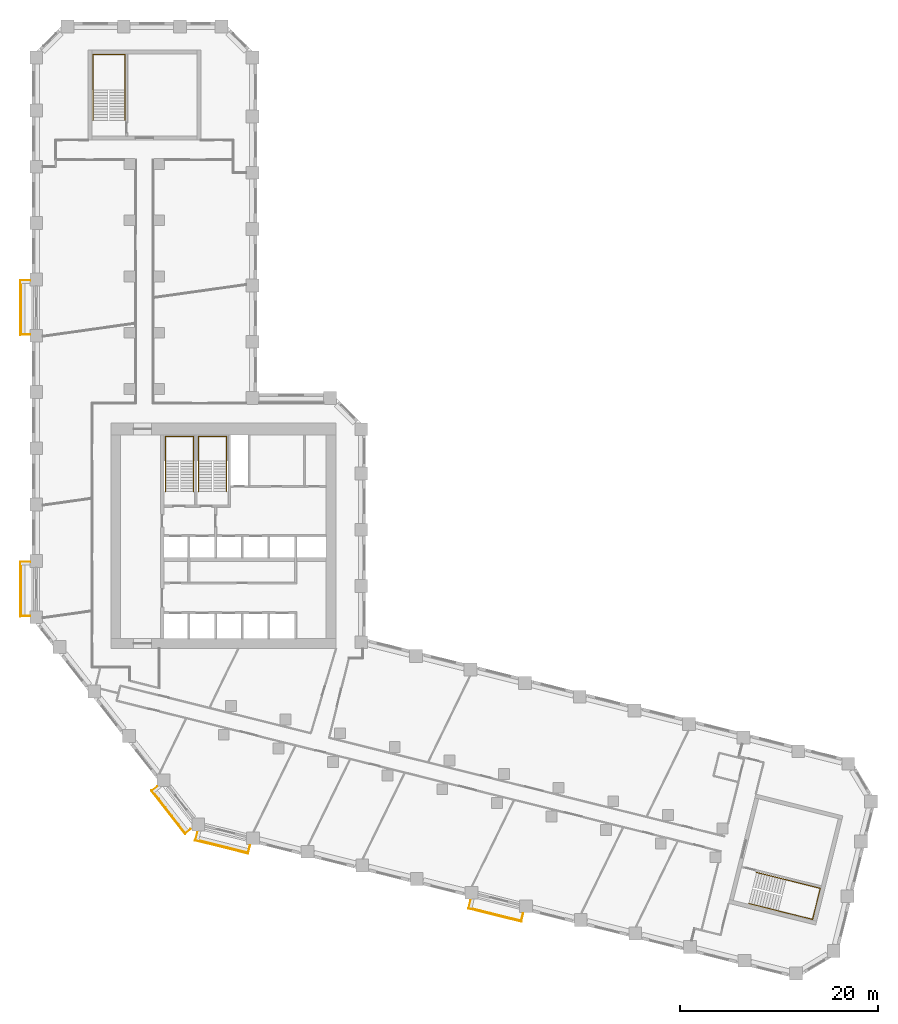
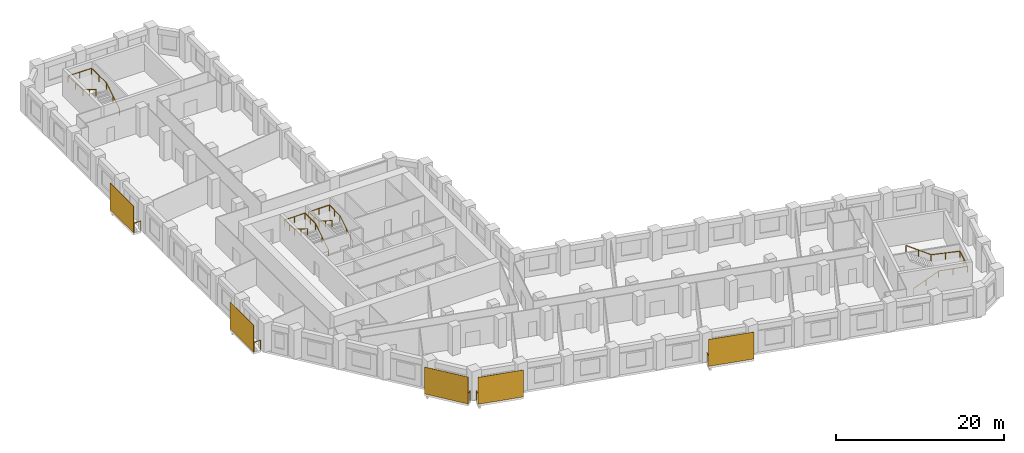
# One storey, part 11 of 11: 9 railings, 5 shading devices.
"""IFC4 building model written with IfcOpenShell, lengths in metres."""

import ifcopenshell
import ifcopenshell.guid

model = None  # the IFC model being written
_history = None  # IfcOwnerHistory: only IFC2X3 demands one
_inside = {}  # id of a spatial element -> (the spatial element, [elements in it])
_under = {}  # id of a project, library or spatial element -> (it, [spatial elements below it])
_declared = {}  # id of a project -> (the project, [libraries it declares])
_typed = {}  # id of a type object -> (the type object, [elements of that type])
_made_of = {}  # id of a material, layer set ... -> (it, [elements and type objects made of it])


def new_model(schema):
    """Start an empty IFC model of exactly this schema.

    Asked for "IFC4X3", IfcOpenShell would pick the latest addendum, in which some entities
    have other attributes; the version numbers below select the first issue.
    IFC2X3 requires an IfcOwnerHistory on every rooted entity: one is made here for all.
    """
    global model, _history
    if schema == "IFC4X3":
        model = ifcopenshell.file(schema_version=(4, 3, 0, 0))
    else:
        model = ifcopenshell.file(schema=schema)
    _inside.clear()
    _under.clear()
    _declared.clear()
    _typed.clear()
    _made_of.clear()
    _history = None
    if model.schema == "IFC2X3":
        org = make("IfcOrganization", Name="unknown")
        user = make(
            "IfcPersonAndOrganization",
            ThePerson=make("IfcPerson", FamilyName="unknown"),
            TheOrganization=org,
        )
        app = make(
            "IfcApplication",
            ApplicationDeveloper=org,
            Version="unknown",
            ApplicationFullName="unknown",
            ApplicationIdentifier="unknown",
        )
        _history = make(
            "IfcOwnerHistory",
            OwningUser=user,
            OwningApplication=app,
            ChangeAction="ADDED",
            CreationDate=0,
        )
    return model


def make(cls, **values):
    """One entity of the class cls with the attributes given. An attribute that is None is left unset."""
    return model.create_entity(
        cls, **{name: value for name, value in values.items() if value is not None}
    )


def rooted(cls, **values):
    """An entity with a GlobalId (a new one), such as an element, a storey or a relation."""
    return make(cls, GlobalId=ifcopenshell.guid.new(), OwnerHistory=_history, **values)


def si_unit(unit_type, name, prefix=None):
    """IfcSIUnit, for example si_unit("LENGTHUNIT", "METRE", prefix="MILLI")."""
    return make("IfcSIUnit", UnitType=unit_type, Prefix=prefix, Name=name)


def assignment(units):
    """IfcUnitAssignment: the units of a project."""
    return None if units is None else make("IfcUnitAssignment", Units=units)


def point(xyz):
    """IfcCartesianPoint."""
    return None if xyz is None else make("IfcCartesianPoint", Coordinates=xyz)


def direction(xyz):
    """IfcDirection."""
    return None if xyz is None else make("IfcDirection", DirectionRatios=xyz)


def frame(location, z_axis=None, x_axis=None):
    """IfcAxis2Placement3D, a coordinate frame: its origin and axes. An axis left out is left unset."""
    return make(
        "IfcAxis2Placement3D",
        Location=point(location),
        Axis=direction(z_axis),
        RefDirection=direction(x_axis),
    )


def frame_2d(location, x_axis=None):
    """IfcAxis2Placement2D, a coordinate frame in the plane: its origin and x axis."""
    return make(
        "IfcAxis2Placement2D", Location=point(location), RefDirection=direction(x_axis)
    )


def origin():
    """The frame at (0, 0, 0) with its axes left unset."""
    return frame((0.0, 0.0, 0.0))


def origin_2d():
    """The frame at (0, 0) in the plane with its x axis left unset."""
    return frame_2d((0.0, 0.0))


def place(relative_to, where):
    """IfcLocalPlacement: puts the frame where relative to a parent placement (None: the world)."""
    return make(
        "IfcLocalPlacement", PlacementRelTo=relative_to, RelativePlacement=where
    )


def context(
    kind, dimensions, precision=None, world=None, true_north=None, identifier=None
):
    """IfcGeometricRepresentationContext, for example the 3D "Model" context."""
    return make(
        "IfcGeometricRepresentationContext",
        ContextIdentifier=identifier,
        ContextType=kind,
        CoordinateSpaceDimension=dimensions,
        Precision=precision,
        WorldCoordinateSystem=world,
        TrueNorth=true_north,
    )


def subcontext(parent, identifier, kind, view, scale=None):
    """IfcGeometricRepresentationSubContext, for example "Body" below "Model"."""
    return make(
        "IfcGeometricRepresentationSubContext",
        ContextIdentifier=identifier,
        ContextType=kind,
        ParentContext=parent,
        TargetScale=scale,
        TargetView=view,
    )


def project(units=None, contexts=None):
    """IfcProject with its units and contexts."""
    return rooted(
        "IfcProject",
        Name="project",
        RepresentationContexts=contexts,
        UnitsInContext=assignment(units),
    )


def spatial(cls, under=None, at=None, **own):
    """A site, building, storey or space (cls), placed at a placement, below another one or the project."""
    s = rooted(cls, ObjectPlacement=at, **own)
    if under is not None:
        _under.setdefault(under.id(), (under, []))[1].append(s)
    return s


def profile(cls, at=None, kind="AREA", **sizes):
    """A parametric profile (cls). Its sizes go by their IFC names, for example OverallWidth=200.0."""
    return make(cls, ProfileType=kind, Position=at, **sizes)


def rectangle(**sizes):
    """IfcRectangleProfileDef."""
    return profile("IfcRectangleProfileDef", **sizes)


def circle(**sizes):
    """IfcCircleProfileDef."""
    return profile("IfcCircleProfileDef", **sizes)


def extrude(swept, where, along, depth):
    """IfcExtrudedAreaSolid: the profile swept, set in the frame where, extruded along a direction by depth."""
    return make(
        "IfcExtrudedAreaSolid",
        SweptArea=swept,
        Position=where,
        ExtrudedDirection=direction(along),
        Depth=depth,
    )


def shape(context_of_items, identifier, shape_type, items):
    """IfcShapeRepresentation: the items that make up one representation, for example the "Body"."""
    return make(
        "IfcShapeRepresentation",
        ContextOfItems=context_of_items,
        RepresentationIdentifier=identifier,
        RepresentationType=shape_type,
        Items=items,
    )


def material(Name=None, Category=None):
    """IfcMaterial."""
    return make("IfcMaterial", Name=Name, Category=Category)


def layer(
    of_material, thickness, ventilated=None, Name=None, Category=None, Priority=None
):
    """IfcMaterialLayer: one layer of a wall or slab, of a material (None: an air gap)."""
    return make(
        "IfcMaterialLayer",
        Material=of_material,
        LayerThickness=thickness,
        IsVentilated=ventilated,
        Name=Name,
        Category=Category,
        Priority=Priority,
    )


def layer_set(layers, Name=None):
    """IfcMaterialLayerSet."""
    return make("IfcMaterialLayerSet", MaterialLayers=layers, LayerSetName=Name)


def made_of(thing, what):
    """Note that an element or type object is made of a material, layer set ...; save() writes the relation."""
    if what is not None:
        _made_of.setdefault(what.id(), (what, []))[1].append(thing)
    return thing


def type_object(cls, material=None, **own):
    """A type object (cls), such as IfcWallType, which elements share."""
    return made_of(rooted(cls, **own), material)


def element(
    cls,
    number,
    at=None,
    inside=None,
    cuts=None,
    type_object=None,
    material=None,
    context=None,
    identifier="Body",
    shape_type=None,
    held_by="IfcProductDefinitionShape",
    body=None,
    shapes=None,
    **own,
):
    """One element of the class cls, such as IfcWall. Its Tag is "e" and its number.

    at: its placement. inside: the storey or other place that contains it. cuts: it is an
    opening in that element (IfcRelVoidsElement). A single representation is given by context,
    identifier, shape_type and body (its items); several are given by shapes. held_by: the class
    of the entity that holds the representations. save() writes the other relations.
    """
    e = rooted(cls, Tag="e%d" % number, ObjectPlacement=at, **own)
    if body is not None:
        shapes = [shape(context, identifier, shape_type, body)]
    if shapes is not None:
        e.Representation = make(held_by, Representations=shapes)
    if inside is not None:
        _inside.setdefault(inside.id(), (inside, []))[1].append(e)
    if cuts is not None:
        rooted(
            "IfcRelVoidsElement", RelatingBuildingElement=cuts, RelatedOpeningElement=e
        )
    if type_object is not None:
        _typed.setdefault(type_object.id(), (type_object, []))[1].append(e)
    return made_of(e, material)


def aggregate(whole, parts):
    """IfcRelAggregates: a whole, such as a stair, and the parts it consists of."""
    return rooted("IfcRelAggregates", RelatingObject=whole, RelatedObjects=parts)


def save(model, path):
    """Write the relations noted so far, then the file.

    IfcRelAggregates (storeys below a building ...), IfcRelContainedInSpatialStructure (elements
    in a storey), IfcRelDefinesByType, IfcRelAssociatesMaterial and IfcRelDeclares: one each for
    every whole, place, type object, material and project.
    """
    for whole, parts in _under.values():
        aggregate(whole, parts)
    for where, things in _inside.values():
        rooted(
            "IfcRelContainedInSpatialStructure",
            RelatedElements=things,
            RelatingStructure=where,
        )
    for kind, things in _typed.values():
        rooted("IfcRelDefinesByType", RelatedObjects=things, RelatingType=kind)
    for what, things in _made_of.values():
        rooted("IfcRelAssociatesMaterial", RelatedObjects=things, RelatingMaterial=what)
    for by, libraries in _declared.values():
        rooted("IfcRelDeclares", RelatingContext=by, RelatedDefinitions=libraries)
    model.write(path)


model = new_model("IFC4")

# Units and contexts
model_context = context("Model", 3, precision=1e-05, world=origin(), true_north=direction((0.0, 1.0)))
body_context = subcontext(model_context, "Body", "Model", "MODEL_VIEW")
ifc_project = project(units=[si_unit("LENGTHUNIT", "METRE"), si_unit("AREAUNIT", "SQUARE_METRE"), si_unit("VOLUMEUNIT", "CUBIC_METRE"), si_unit("PLANEANGLEUNIT", "RADIAN"), si_unit("MASSUNIT", "GRAM", prefix="KILO")], contexts=[model_context])

# Site, building, storey
site_placement = place(None, origin())
site = spatial("IfcSite", under=ifc_project, at=site_placement, CompositionType="ELEMENT")
building_placement = place(site_placement, origin())
building = spatial("IfcBuilding", under=site, at=building_placement, Name="Meshkara Civic Tower", CompositionType="ELEMENT")
storey_placement = place(building_placement, frame((0.0, 0.0, 101.39990234375)))
storey = spatial("IfcBuildingStorey", under=building, at=storey_placement, Name="L22", CompositionType="ELEMENT", Elevation=101.39990234375)

# Railings
ifc_material_1 = material(Name="Steel S355", Category="steel")
railing_type_1 = type_object("IfcRailingType", Name="BALUSTRADE GUARD 1400", PredefinedType="BALUSTRADE", material=ifc_material_1)
for number, where, name in (
    (1, (-0.199951171875, 51.3349609375, 0.0), "Balcony guard"),
    (2, (-0.199951171875, 22.8349609375, 0.0), "Balcony guard"),
):
    element("IfcRailing", number, at=place(storey_placement, frame(where)), inside=storey, type_object=railing_type_1, Name=name, PredefinedType="BALUSTRADE", context=body_context, shape_type="SweptSolid", body=[
        extrude(circle(Radius=0.02392578125, at=origin_2d()), frame((0.0, 0.0, 1.3759765625), z_axis=(-1.0, 0.0, 0.0), x_axis=(0.0, -1.0, 0.0)), (0.0, 0.0, 1.0), 0.91015625),
        extrude(circle(Radius=0.02392578125, at=origin_2d()), frame((-0.91015625, 0.0, 1.3759765625), z_axis=(0.0, -1.0, 0.0), x_axis=(1.0, 0.0, 0.0)), (0.0, 0.0, 1.0), 5.4599609375),
        extrude(circle(Radius=0.02392578125, at=origin_2d()), frame((-0.91015625, -5.4599609375, 1.3759765625), z_axis=(1.0, 0.0, 0.0), x_axis=(0.0, 1.0, 0.0)), (0.0, 0.0, 1.0), 0.91015625),
        extrude(circle(Radius=0.02099609375, at=origin_2d()), origin(), (0.0, 0.0, 1.0), 1.351806640625),
        extrude(circle(Radius=0.02099609375, at=origin_2d()), frame((-0.91015625, 0.0, 0.0)), (0.0, 0.0, 1.0), 1.351806640625),
        extrude(circle(Radius=0.02099609375, at=origin_2d()), frame((-0.91015625, -1.092041015625, 0.0)), (0.0, 0.0, 1.0), 1.351806640625),
        extrude(circle(Radius=0.02099609375, at=origin_2d()), frame((-0.91015625, -2.18408203125, 0.0)), (0.0, 0.0, 1.0), 1.351806640625),
        extrude(circle(Radius=0.02099609375, at=origin_2d()), frame((-0.91015625, -3.27587890625, 0.0)), (0.0, 0.0, 1.0), 1.351806640625),
        extrude(circle(Radius=0.02099609375, at=origin_2d()), frame((-0.91015625, -4.367919921875, 0.0)), (0.0, 0.0, 1.0), 1.351806640625),
        extrude(circle(Radius=0.02099609375, at=origin_2d()), frame((-0.91015625, -5.4599609375, 0.0)), (0.0, 0.0, 1.0), 1.351806640625),
        extrude(circle(Radius=0.02099609375, at=origin_2d()), frame((0.0, -5.4599609375, 0.0)), (0.0, 0.0, 1.0), 1.351806640625),
    ])
railing_1_placement = place(storey_placement, frame((12.697021484375, 0.097900390625, 0.0)))
element("IfcRailing", 3, at=railing_1_placement, inside=storey, type_object=railing_type_1, Name="Balcony guard", PredefinedType="BALUSTRADE", context=body_context, shape_type="SweptSolid", body=[
    extrude(circle(Radius=0.02392578125, at=origin_2d()), frame((0.0, 0.0, 1.3759765625), z_axis=(-0.788235582762, -0.615373598774, 0.0), x_axis=(0.615373598774, -0.788235582762, 0.0)), (0.0, 0.0, 1.0), 0.648193359375),
    extrude(circle(Radius=0.02392578125, at=origin_2d()), frame((-0.510986328125, -0.39892578125, 1.3759765625), z_axis=(0.615684818606, -0.787992515281, 0.0), x_axis=(0.787992515281, 0.615684818606, 0.0)), (0.0, 0.0, 1.0), 5.460693359375),
    extrude(circle(Radius=0.02392578125, at=origin_2d()), frame((2.85107421875, -4.701904296875, 1.3759765625), z_axis=(0.787664106231, 0.616104906453, 0.0), x_axis=(-0.616104906453, 0.787664106231, 0.0)), (0.0, 0.0, 1.0), 0.6474609375),
    extrude(circle(Radius=0.02099609375, at=origin_2d()), origin(), (0.0, 0.0, 1.0), 1.351806640625),
    extrude(circle(Radius=0.02099609375, at=origin_2d()), frame((-0.510986328125, -0.39892578125, 0.0)), (0.0, 0.0, 1.0), 1.351806640625),
    extrude(circle(Radius=0.02099609375, at=origin_2d()), frame((0.161376953125, -1.259521484375, 0.0)), (0.0, 0.0, 1.0), 1.351806640625),
    extrude(circle(Radius=0.02099609375, at=origin_2d()), frame((0.833740234375, -2.1201171875, 0.0)), (0.0, 0.0, 1.0), 1.351806640625),
    extrude(circle(Radius=0.02099609375, at=origin_2d()), frame((1.50634765625, -2.980712890625, 0.0)), (0.0, 0.0, 1.0), 1.351806640625),
    extrude(circle(Radius=0.02099609375, at=origin_2d()), frame((2.1787109375, -3.84130859375, 0.0)), (0.0, 0.0, 1.0), 1.351806640625),
    extrude(circle(Radius=0.02099609375, at=origin_2d()), frame((2.85107421875, -4.701904296875, 0.0)), (0.0, 0.0, 1.0), 1.351806640625),
    extrude(circle(Radius=0.02099609375, at=origin_2d()), frame((3.361083984375, -4.302978515625, 0.0)), (0.0, 0.0, 1.0), 1.351806640625),
])
railing_2_placement = place(storey_placement, frame((16.777099609375, -4.531005859375, 0.0)))
element("IfcRailing", 4, at=railing_2_placement, inside=storey, type_object=railing_type_1, Name="Balcony guard", PredefinedType="BALUSTRADE", context=body_context, shape_type="SweptSolid", body=[
    extrude(circle(Radius=0.02392578125, at=origin_2d()), frame((0.0, 0.0, 1.3759765625), z_axis=(-0.241941038466, -0.970290953223, 0.0), x_axis=(0.970290953223, -0.241941038466, 0.0)), (0.0, 0.0, 1.0), 0.77294921875),
    extrude(circle(Radius=0.02392578125, at=origin_2d()), frame((-0.18701171875, -0.75, 1.3759765625), z_axis=(0.9703315887, -0.241778013829, 0.0), x_axis=(0.241778013829, 0.9703315887, 0.0)), (0.0, 0.0, 1.0), 5.459716796875),
    extrude(circle(Radius=0.02392578125, at=origin_2d()), frame((5.11083984375, -2.070068359375, 1.3759765625), z_axis=(0.242237978263, 0.970216863329, 0.0), x_axis=(-0.970216863329, 0.242237978263, 0.0)), (0.0, 0.0, 1.0), 0.77197265625),
    extrude(circle(Radius=0.02099609375, at=origin_2d()), origin(), (0.0, 0.0, 1.0), 1.351806640625),
    extrude(circle(Radius=0.02099609375, at=origin_2d()), frame((-0.18701171875, -0.75, 0.0)), (0.0, 0.0, 1.0), 1.351806640625),
    extrude(circle(Radius=0.02099609375, at=origin_2d()), frame((0.87255859375, -1.013916015625, 0.0)), (0.0, 0.0, 1.0), 1.351806640625),
    extrude(circle(Radius=0.02099609375, at=origin_2d()), frame((1.93212890625, -1.278076171875, 0.0)), (0.0, 0.0, 1.0), 1.351806640625),
    extrude(circle(Radius=0.02099609375, at=origin_2d()), frame((2.99169921875, -1.5419921875, 0.0)), (0.0, 0.0, 1.0), 1.351806640625),
    extrude(circle(Radius=0.02099609375, at=origin_2d()), frame((4.05126953125, -1.80615234375, 0.0)), (0.0, 0.0, 1.0), 1.351806640625),
    extrude(circle(Radius=0.02099609375, at=origin_2d()), frame((5.11083984375, -2.070068359375, 0.0)), (0.0, 0.0, 1.0), 1.351806640625),
    extrude(circle(Radius=0.02099609375, at=origin_2d()), frame((5.2978515625, -1.321044921875, 0.0)), (0.0, 0.0, 1.0), 1.351806640625),
])
railing_3_placement = place(storey_placement, frame((44.430908203125, -11.426025390625, 0.0)))
element("IfcRailing", 5, at=railing_3_placement, inside=storey, type_object=railing_type_1, Name="Balcony guard", PredefinedType="BALUSTRADE", context=body_context, shape_type="SweptSolid", body=[
    extrude(circle(Radius=0.02392578125, at=origin_2d()), frame((0.0, 0.0, 1.3759765625), z_axis=(-0.242237978263, -0.970216863329, 0.0), x_axis=(0.970216863329, -0.242237978263, 0.0)), (0.0, 0.0, 1.0), 0.77197265625),
    extrude(circle(Radius=0.02392578125, at=origin_2d()), frame((-0.18701171875, -0.7490234375, 1.3759765625), z_axis=(0.970281759871, -0.241977904902, 0.0), x_axis=(0.241977904902, 0.970281759871, 0.0)), (0.0, 0.0, 1.0), 5.45947265625),
    extrude(circle(Radius=0.02392578125, at=origin_2d()), frame((5.110107421875, -2.070068359375, 1.3759765625), z_axis=(0.242237978263, 0.970216863329, 0.0), x_axis=(-0.970216863329, 0.242237978263, 0.0)), (0.0, 0.0, 1.0), 0.77197265625),
    extrude(circle(Radius=0.02099609375, at=origin_2d()), origin(), (0.0, 0.0, 1.0), 1.351806640625),
    extrude(circle(Radius=0.02099609375, at=origin_2d()), frame((-0.18701171875, -0.7490234375, 0.0)), (0.0, 0.0, 1.0), 1.351806640625),
    extrude(circle(Radius=0.02099609375, at=origin_2d()), frame((0.872314453125, -1.01318359375, 0.0)), (0.0, 0.0, 1.0), 1.351806640625),
    extrude(circle(Radius=0.02099609375, at=origin_2d()), frame((1.931884765625, -1.27734375, 0.0)), (0.0, 0.0, 1.0), 1.351806640625),
    extrude(circle(Radius=0.02099609375, at=origin_2d()), frame((2.9912109375, -1.541748046875, 0.0)), (0.0, 0.0, 1.0), 1.351806640625),
    extrude(circle(Radius=0.02099609375, at=origin_2d()), frame((4.05078125, -1.805908203125, 0.0)), (0.0, 0.0, 1.0), 1.351806640625),
    extrude(circle(Radius=0.02099609375, at=origin_2d()), frame((5.110107421875, -2.070068359375, 0.0)), (0.0, 0.0, 1.0), 1.351806640625),
    extrude(circle(Radius=0.02099609375, at=origin_2d()), frame((5.297119140625, -1.321044921875, 0.0)), (0.0, 0.0, 1.0), 1.351806640625),
])

# Shading devices
ifc_material_2 = material(Name="Perforated bronze anodised aluminium sheet", Category="aluminium")
ifc_layer = layer(ifc_material_2, 0.0400390625)
ifc_layer_set = layer_set([ifc_layer], Name="PERFORATED BRONZE SCREEN")
shading_device_type = type_object("IfcShadingDeviceType", Name="PERFORATED BRONZE SCREEN", PredefinedType="USERDEFINED", material=ifc_layer_set)
for number, where, z_axis, x_axis, name in (
    (6, (-1.179931640625, 48.60498046875, 0.000244140625), (0.0, 0.0, 1.0), (0.0, -1.0, 0.0), "Balcony screen"),
    (7, (-1.179931640625, 20.10498046875, 0.000244140625), (0.0, 0.0, 1.0), (0.0, -1.0, 0.0), "Balcony screen"),
    (8, (13.81201171875, -2.4951171875, 0.000244140625), (0.0, 0.0, 1.0), (0.615661475326, -0.788010753607, 0.0), "Balcony screen"),
    (9, (19.221923828125, -6.009033203125, 0.000244140625), (0.0, 0.0, 1.0), (0.970299948462, -0.241904960708, 0.0), "Balcony screen"),
):
    element("IfcShadingDevice", number, at=place(storey_placement, frame(where, z_axis=z_axis, x_axis=x_axis)), inside=storey, type_object=shading_device_type, Name=name, ObjectType="SCREEN", PredefinedType="USERDEFINED", context=body_context, shape_type="SweptSolid", body=[
        extrude(rectangle(XDim=5.580078125, YDim=0.0400390625, at=origin_2d()), origin(), (0.0, 0.0, 1.0), 3.89990234375),
    ])
shading_device_placement = place(storey_placement, frame((46.8759765625, -12.903076171875, 0.000244140625), z_axis=(0.0, 0.0, 1.0), x_axis=(0.970299948462, -0.241904960708, 0.0)))
element("IfcShadingDevice", 10, at=shading_device_placement, inside=storey, type_object=shading_device_type, Name="Balcony screen", ObjectType="SCREEN", PredefinedType="USERDEFINED", context=body_context, shape_type="SweptSolid", body=[
    extrude(rectangle(XDim=5.5791015625, YDim=0.0400390625, at=origin_2d()), origin(), (0.0, 0.0, 1.0), 3.89990234375),
])

# Railings
ifc_material_3 = material(Name="Steel handrail", Category="steel")
railing_type_2 = type_object("IfcRailingType", Name="Stair handrail 900", PredefinedType="HANDRAIL", material=ifc_material_3)
railing_4_placement = place(storey_placement, frame((16.375, 30.0, 0.175048828125)))
element("IfcRailing", 11, at=railing_4_placement, inside=storey, type_object=railing_type_2, Name="L22 ST1 stair handrail 1", PredefinedType="HANDRAIL", context=body_context, shape_type="SweptSolid", body=[
    extrude(circle(Radius=0.02392578125, at=origin_2d()), frame((0.0, 0.0, 0.8759765625), z_axis=(0.0, 0.847998304005, 0.529998940003), x_axis=(-1.0, 0.0, 0.0)), (0.0, 0.0, 1.0), 3.632080078125),
    extrude(circle(Radius=0.02392578125, at=origin_2d()), frame((0.0, 3.080078125, 2.80078125), z_axis=(0.0, 1.0, 0.0), x_axis=(-1.0, 0.0, 0.0)), (0.0, 0.0, 1.0), 2.469970703125),
    extrude(circle(Radius=0.02392578125, at=origin_2d()), frame((0.0, 5.550048828125, 2.80078125), z_axis=(-1.0, 0.0, 0.0), x_axis=(0.0, -1.0, 0.0)), (0.0, 0.0, 1.0), 2.85009765625),
    extrude(circle(Radius=0.02392578125, at=origin_2d()), frame((-2.85009765625, 5.550048828125, 2.80078125), z_axis=(0.0, -0.997498084828, 0.070693498747), x_axis=(1.0, 0.0, 0.0)), (0.0, 0.0, 1.0), 2.47607421875),
    extrude(circle(Radius=0.02392578125, at=origin_2d()), frame((-2.85009765625, 3.080078125, 2.97607421875), z_axis=(0.0, -0.847998304005, 0.529998940003), x_axis=(1.0, 0.0, 0.0)), (0.0, 0.0, 1.0), 3.632080078125),
    extrude(circle(Radius=0.02099609375, at=origin_2d()), origin(), (0.0, 0.0, 1.0), 0.851806640625),
    extrude(circle(Radius=0.02099609375, at=origin_2d()), frame((0.0, 1.5400390625, 0.96240234375)), (0.0, 0.0, 1.0), 0.851806640625),
    extrude(circle(Radius=0.02099609375, at=origin_2d()), frame((0.0, 3.080078125, 1.925048828125)), (0.0, 0.0, 1.0), 0.851806640625),
    extrude(circle(Radius=0.02099609375, at=origin_2d()), frame((0.0, 4.31494140625, 1.925048828125)), (0.0, 0.0, 1.0), 0.851806640625),
    extrude(circle(Radius=0.02099609375, at=origin_2d()), frame((0.0, 5.550048828125, 1.925048828125)), (0.0, 0.0, 1.0), 0.851806640625),
    extrude(circle(Radius=0.02099609375, at=origin_2d()), frame((-1.425048828125, 5.550048828125, 1.925048828125)), (0.0, 0.0, 1.0), 0.851806640625),
    extrude(circle(Radius=0.02099609375, at=origin_2d()), frame((-2.85009765625, 5.550048828125, 1.925048828125)), (0.0, 0.0, 1.0), 0.851806640625),
    extrude(circle(Radius=0.02099609375, at=origin_2d()), frame((-2.85009765625, 4.31494140625, 2.0126953125)), (0.0, 0.0, 1.0), 0.851806640625),
    extrude(circle(Radius=0.02099609375, at=origin_2d()), frame((-2.85009765625, 3.080078125, 2.10009765625)), (0.0, 0.0, 1.0), 0.851806640625),
    extrude(circle(Radius=0.02099609375, at=origin_2d()), frame((-2.85009765625, 1.5400390625, 3.0625)), (0.0, 0.0, 1.0), 0.851806640625),
    extrude(circle(Radius=0.02099609375, at=origin_2d()), frame((-2.85009765625, 0.0, 4.025146484375)), (0.0, 0.0, 1.0), 0.851806640625),
])
railing_5_placement = place(storey_placement, frame((19.72509765625, 30.0, 0.175048828125)))
element("IfcRailing", 12, at=railing_5_placement, inside=storey, type_object=railing_type_2, Name="L22 ST2 stair handrail 1", PredefinedType="HANDRAIL", context=body_context, shape_type="SweptSolid", body=[
    extrude(circle(Radius=0.02392578125, at=origin_2d()), frame((0.0, 0.0, 0.8759765625), z_axis=(0.0, 0.847998304005, 0.529998940003), x_axis=(-1.0, 0.0, 0.0)), (0.0, 0.0, 1.0), 3.632080078125),
    extrude(circle(Radius=0.02392578125, at=origin_2d()), frame((0.0, 3.080078125, 2.80078125), z_axis=(0.0, 1.0, 0.0), x_axis=(-1.0, 0.0, 0.0)), (0.0, 0.0, 1.0), 2.469970703125),
    extrude(circle(Radius=0.02392578125, at=origin_2d()), frame((0.0, 5.550048828125, 2.80078125), z_axis=(-1.0, 0.0, 0.0), x_axis=(0.0, -1.0, 0.0)), (0.0, 0.0, 1.0), 2.85009765625),
    extrude(circle(Radius=0.02392578125, at=origin_2d()), frame((-2.85009765625, 5.550048828125, 2.80078125), z_axis=(0.0, -0.997498084828, 0.070693498747), x_axis=(1.0, 0.0, 0.0)), (0.0, 0.0, 1.0), 2.47607421875),
    extrude(circle(Radius=0.02392578125, at=origin_2d()), frame((-2.85009765625, 3.080078125, 2.97607421875), z_axis=(0.0, -0.847998304005, 0.529998940003), x_axis=(1.0, 0.0, 0.0)), (0.0, 0.0, 1.0), 3.632080078125),
    extrude(circle(Radius=0.02099609375, at=origin_2d()), origin(), (0.0, 0.0, 1.0), 0.851806640625),
    extrude(circle(Radius=0.02099609375, at=origin_2d()), frame((0.0, 1.5400390625, 0.96240234375)), (0.0, 0.0, 1.0), 0.851806640625),
    extrude(circle(Radius=0.02099609375, at=origin_2d()), frame((0.0, 3.080078125, 1.925048828125)), (0.0, 0.0, 1.0), 0.851806640625),
    extrude(circle(Radius=0.02099609375, at=origin_2d()), frame((0.0, 4.31494140625, 1.925048828125)), (0.0, 0.0, 1.0), 0.851806640625),
    extrude(circle(Radius=0.02099609375, at=origin_2d()), frame((0.0, 5.550048828125, 1.925048828125)), (0.0, 0.0, 1.0), 0.851806640625),
    extrude(circle(Radius=0.02099609375, at=origin_2d()), frame((-1.425048828125, 5.550048828125, 1.925048828125)), (0.0, 0.0, 1.0), 0.851806640625),
    extrude(circle(Radius=0.02099609375, at=origin_2d()), frame((-2.85009765625, 5.550048828125, 1.925048828125)), (0.0, 0.0, 1.0), 0.851806640625),
    extrude(circle(Radius=0.02099609375, at=origin_2d()), frame((-2.85009765625, 4.31494140625, 2.0126953125)), (0.0, 0.0, 1.0), 0.851806640625),
    extrude(circle(Radius=0.02099609375, at=origin_2d()), frame((-2.85009765625, 3.080078125, 2.10009765625)), (0.0, 0.0, 1.0), 0.851806640625),
    extrude(circle(Radius=0.02099609375, at=origin_2d()), frame((-2.85009765625, 1.5400390625, 3.0625)), (0.0, 0.0, 1.0), 0.851806640625),
    extrude(circle(Radius=0.02099609375, at=origin_2d()), frame((-2.85009765625, 0.0, 4.025146484375)), (0.0, 0.0, 1.0), 0.851806640625),
])
railing_6_placement = place(storey_placement, frame((9.425048828125, 67.570068359375, 0.175048828125)))
element("IfcRailing", 13, at=railing_6_placement, inside=storey, type_object=railing_type_2, Name="L22 ESA2 stair handrail 1", PredefinedType="HANDRAIL", context=body_context, shape_type="SweptSolid", body=[
    extrude(circle(Radius=0.02392578125, at=origin_2d()), frame((0.0, 0.0, 0.8759765625), z_axis=(0.0, 0.847979421464, 0.530029150871), x_axis=(-1.0, 0.0, 0.0)), (0.0, 0.0, 1.0), 3.632080078125),
    extrude(circle(Radius=0.02392578125, at=origin_2d()), frame((0.0, 3.079833984375, 2.80078125), z_axis=(0.0, 1.0, 0.0), x_axis=(-1.0, 0.0, 0.0)), (0.0, 0.0, 1.0), 3.570068359375),
    extrude(circle(Radius=0.02392578125, at=origin_2d()), frame((0.0, 6.64990234375, 2.80078125), z_axis=(-1.0, 0.0, 0.0), x_axis=(0.0, -1.0, 0.0)), (0.0, 0.0, 1.0), 3.25),
    extrude(circle(Radius=0.02392578125, at=origin_2d()), frame((-3.25, 6.64990234375, 2.80078125), z_axis=(0.0, -0.998800077689, 0.048973511297), x_axis=(1.0, 0.0, 0.0)), (0.0, 0.0, 1.0), 3.574462890625),
    extrude(circle(Radius=0.02392578125, at=origin_2d()), frame((-3.25, 3.079833984375, 2.97607421875), z_axis=(0.0, -0.847979421464, 0.530029150871), x_axis=(1.0, 0.0, 0.0)), (0.0, 0.0, 1.0), 3.632080078125),
    extrude(circle(Radius=0.02099609375, at=origin_2d()), origin(), (0.0, 0.0, 1.0), 0.851806640625),
    extrude(circle(Radius=0.02099609375, at=origin_2d()), frame((0.0, 1.5400390625, 0.96240234375)), (0.0, 0.0, 1.0), 0.851806640625),
    extrude(circle(Radius=0.02099609375, at=origin_2d()), frame((0.0, 3.079833984375, 1.925048828125)), (0.0, 0.0, 1.0), 0.851806640625),
    extrude(circle(Radius=0.02099609375, at=origin_2d()), frame((0.0, 4.86474609375, 1.925048828125)), (0.0, 0.0, 1.0), 0.851806640625),
    extrude(circle(Radius=0.02099609375, at=origin_2d()), frame((0.0, 6.64990234375, 1.925048828125)), (0.0, 0.0, 1.0), 0.851806640625),
    extrude(circle(Radius=0.02099609375, at=origin_2d()), frame((-1.625, 6.64990234375, 1.925048828125)), (0.0, 0.0, 1.0), 0.851806640625),
    extrude(circle(Radius=0.02099609375, at=origin_2d()), frame((-3.25, 6.64990234375, 1.925048828125)), (0.0, 0.0, 1.0), 0.851806640625),
    extrude(circle(Radius=0.02099609375, at=origin_2d()), frame((-3.25, 4.86474609375, 2.0126953125)), (0.0, 0.0, 1.0), 0.851806640625),
    extrude(circle(Radius=0.02099609375, at=origin_2d()), frame((-3.25, 3.079833984375, 2.10009765625)), (0.0, 0.0, 1.0), 0.851806640625),
    extrude(circle(Radius=0.02099609375, at=origin_2d()), frame((-3.25, 1.5400390625, 3.0625)), (0.0, 0.0, 1.0), 0.851806640625),
    extrude(circle(Radius=0.02099609375, at=origin_2d()), frame((-3.25, 0.0, 4.025146484375)), (0.0, 0.0, 1.0), 0.851806640625),
])
railing_7_placement = place(storey_placement, frame((72.587158203125, -11.73388671875, 0.175048828125)))
element("IfcRailing", 14, at=railing_7_placement, inside=storey, type_object=railing_type_2, Name="L22 ESB2 stair handrail 1", PredefinedType="HANDRAIL", context=body_context, shape_type="SweptSolid", body=[
    extrude(circle(Radius=0.02392578125, at=origin_2d()), frame((0.0, 0.0, 0.8759765625), z_axis=(0.82276025377, -0.205286749593, 0.530021617727), x_axis=(0.242087961707, 0.97025430625, 0.0)), (0.0, 0.0, 1.0), 3.632080078125),
    extrude(circle(Radius=0.02392578125, at=origin_2d()), frame((2.98828125, -0.74560546875, 2.80078125), z_axis=(0.97025503065, -0.242085058395, 0.0), x_axis=(0.242085058395, 0.97025503065, 0.0)), (0.0, 0.0, 1.0), 3.570068359375),
    extrude(circle(Radius=0.02392578125, at=origin_2d()), frame((6.4521484375, -1.60986328125, 2.80078125), z_axis=(0.242040676986, 0.970266103027, 0.0), x_axis=(-0.970266103027, 0.242040676986, 0.0)), (0.0, 0.0, 1.0), 3.25),
    extrude(circle(Radius=0.02392578125, at=origin_2d()), frame((7.23876953125, 1.54345703125, 2.80078125), z_axis=(-0.969090793551, 0.241794573525, 0.048973646672), x_axis=(-0.242085058395, -0.97025503065, 0.0)), (0.0, 0.0, 1.0), 3.574462890625),
    extrude(circle(Radius=0.02392578125, at=origin_2d()), frame((3.77490234375, 2.40771484375, 2.97607421875), z_axis=(-0.82276025377, 0.205286749593, 0.530021617727), x_axis=(-0.242087961707, -0.97025430625, 0.0)), (0.0, 0.0, 1.0), 3.632080078125),
    extrude(circle(Radius=0.02099609375, at=origin_2d()), origin(), (0.0, 0.0, 1.0), 0.851806640625),
    extrude(circle(Radius=0.02099609375, at=origin_2d()), frame((1.494140625, -0.372802734375, 0.96240234375)), (0.0, 0.0, 1.0), 0.851806640625),
    extrude(circle(Radius=0.02099609375, at=origin_2d()), frame((2.98828125, -0.74560546875, 1.925048828125)), (0.0, 0.0, 1.0), 0.851806640625),
    extrude(circle(Radius=0.02099609375, at=origin_2d()), frame((4.72021484375, -1.177734375, 1.925048828125)), (0.0, 0.0, 1.0), 0.851806640625),
    extrude(circle(Radius=0.02099609375, at=origin_2d()), frame((6.4521484375, -1.60986328125, 1.925048828125)), (0.0, 0.0, 1.0), 0.851806640625),
    extrude(circle(Radius=0.02099609375, at=origin_2d()), frame((6.845458984375, -0.033203125, 1.925048828125)), (0.0, 0.0, 1.0), 0.851806640625),
    extrude(circle(Radius=0.02099609375, at=origin_2d()), frame((7.23876953125, 1.54345703125, 1.925048828125)), (0.0, 0.0, 1.0), 0.851806640625),
    extrude(circle(Radius=0.02099609375, at=origin_2d()), frame((5.5068359375, 1.9755859375, 2.0126953125)), (0.0, 0.0, 1.0), 0.851806640625),
    extrude(circle(Radius=0.02099609375, at=origin_2d()), frame((3.77490234375, 2.40771484375, 2.10009765625)), (0.0, 0.0, 1.0), 0.851806640625),
    extrude(circle(Radius=0.02099609375, at=origin_2d()), frame((2.28076171875, 2.780517578125, 3.0625)), (0.0, 0.0, 1.0), 0.851806640625),
    extrude(circle(Radius=0.02099609375, at=origin_2d()), frame((0.78662109375, 3.1533203125, 4.025146484375)), (0.0, 0.0, 1.0), 0.851806640625),
])

save(model, "model.ifc")
